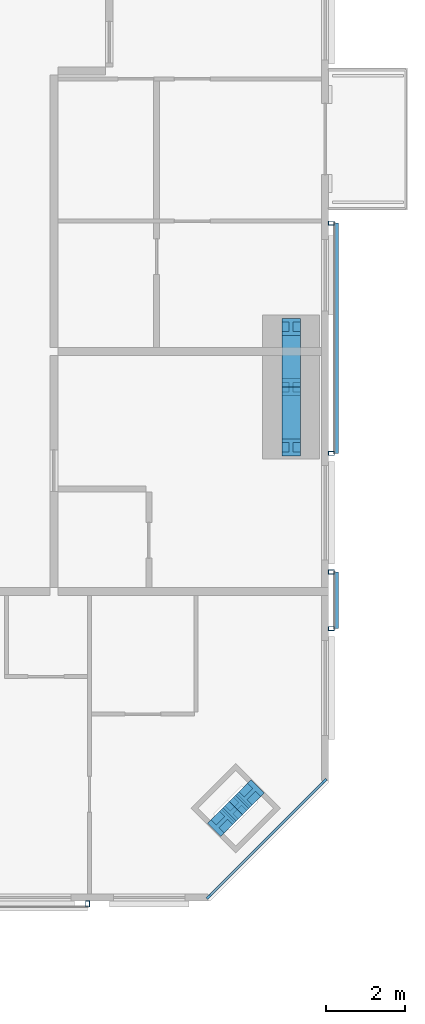
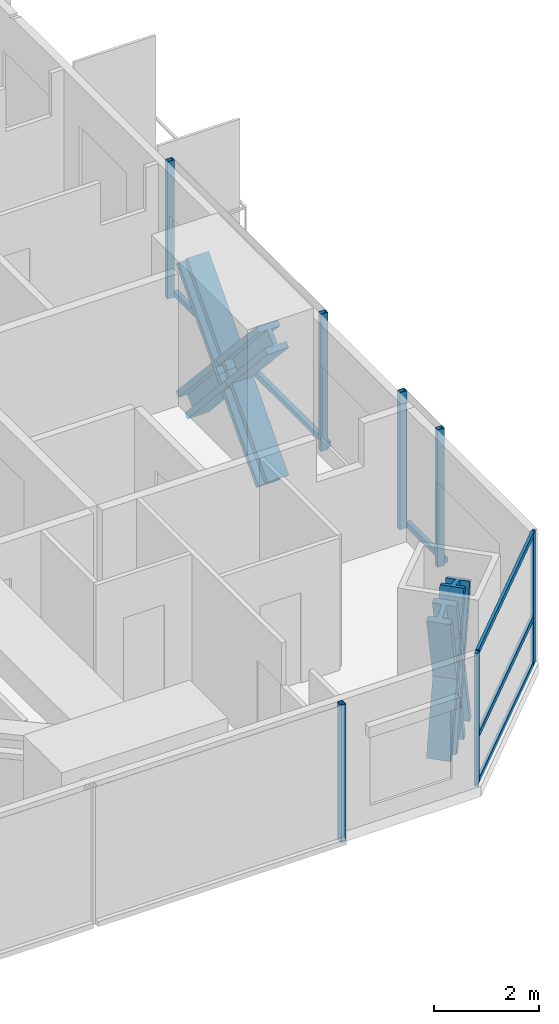
# One storey, part 9 of 22: 20 members, 4 elements without a shape of their own.
"""IFC4 building model written with IfcOpenShell, lengths in metres."""

from ifc_helpers import new_model, si_unit, direction, frame, origin, origin_2d, place, context, subcontext, project, spatial, rectangle, hollow_rectangle, i_section, extrude, material, material_profile, profile_set, type_object, element, aggregate, save


model = new_model("IFC4")

# Units and contexts
model_context = context("Model", 3, precision=1e-05, world=origin(), true_north=direction((0.0, 1.0)))
body_context = subcontext(model_context, "Body", "Model", "MODEL_VIEW")
ifc_project = project(units=[si_unit("LENGTHUNIT", "METRE"), si_unit("AREAUNIT", "SQUARE_METRE"), si_unit("VOLUMEUNIT", "CUBIC_METRE"), si_unit("PLANEANGLEUNIT", "RADIAN"), si_unit("MASSUNIT", "GRAM", prefix="KILO")], contexts=[model_context])

# Site, building, storey
site_placement = place(None, origin())
site = spatial("IfcSite", under=ifc_project, at=site_placement, CompositionType="ELEMENT")
building_placement = place(site_placement, origin())
building = spatial("IfcBuilding", under=site, at=building_placement, Name="Jalousie Tower", CompositionType="ELEMENT")
storey_placement = place(building_placement, frame((0.0, 0.0, 204.60009765625)))
storey = spatial("IfcBuildingStorey", under=building, at=storey_placement, Name="L56", CompositionType="ELEMENT", Elevation=204.60009765625)

# Curtain wall, members
ifc_material_1 = material(Name="Aluminium curtain wall", Category="aluminium")
curtain_wall_type_1 = type_object("IfcCurtainWallType", Name="CORNER WINDOW WALL", PredefinedType="USERDEFINED", material=ifc_material_1)
curtain_wall_1_placement = place(storey_placement, origin())
curtain_wall_1 = element("IfcCurtainWall", 1, at=curtain_wall_1_placement, inside=storey, type_object=curtain_wall_type_1, Name="Corner Window Wall L56 2", ObjectType="CORNER WINDOW WALL", PredefinedType="USERDEFINED")
ifc_material_2 = material(Name="Aluminium mullion", Category="aluminium")
ifc_material_profile_1 = material_profile(ifc_material_2, rectangle(XDim=0.06005859375, YDim=0.14990234375, at=origin_2d()), Name="MULLION 60x150")
ifc_profile_set_1 = profile_set([ifc_material_profile_1], Name="Aluminium mullion")
member_type_1 = type_object("IfcMemberType", Name="CORNER WINDOW WALL MULLION", PredefinedType="MULLION", material=ifc_profile_set_1)
member_1_placement = place(storey_placement, frame((49.969970703125, 0.108642578125, 0.0), z_axis=(0.0, 0.0, 1.0), x_axis=(-0.707106781187, 0.707106781187, 0.0)))
member_1 = element("IfcMember", 2, at=member_1_placement, type_object=member_type_1, Name="CW-C mullion 1", PredefinedType="MULLION", context=body_context, shape_type="SweptSolid", body=[
    extrude(rectangle(XDim=0.06005859375, YDim=0.14990234375, at=origin_2d()), origin(), (0.0, 0.0, 1.0), 3.06982421875),
])
member_2_placement = place(storey_placement, frame((52.891357421875, 3.030029296875, 0.0), z_axis=(0.0, 0.0, 1.0), x_axis=(-0.707106781187, 0.707106781187, 0.0)))
member_2 = element("IfcMember", 3, at=member_2_placement, type_object=member_type_1, Name="CW-C mullion 2", PredefinedType="MULLION", context=body_context, shape_type="SweptSolid", body=[
    extrude(rectangle(XDim=0.06005859375, YDim=0.14990234375, at=origin_2d()), origin(), (0.0, 0.0, 1.0), 3.06982421875),
])
ifc_material_3 = material(Name="Aluminium transom", Category="aluminium")
ifc_material_profile_2 = material_profile(ifc_material_3, rectangle(XDim=0.06005859375, YDim=0.1201171875, at=origin_2d()), Name="TRANSOM 60x120")
ifc_profile_set_2 = profile_set([ifc_material_profile_2], Name="Aluminium transom")
member_type_2 = type_object("IfcMemberType", Name="CORNER WINDOW WALL TRANSOM", PredefinedType="USERDEFINED", material=ifc_profile_set_2)
member_3_placement = place(storey_placement, frame((49.9912109375, 0.1298828125, 0.02978515625), z_axis=(0.707106781187, 0.707106781187, 0.0), x_axis=(-0.707106781187, 0.707106781187, 0.0)))
member_3 = element("IfcMember", 4, at=member_3_placement, type_object=member_type_2, Name="CW-C transom 1.1", ObjectType="TRANSOM", PredefinedType="USERDEFINED", context=body_context, shape_type="SweptSolid", body=[
    extrude(rectangle(XDim=0.06005859375, YDim=0.1201171875, at=origin_2d()), origin(), (0.0, 0.0, 1.0), 4.0712890625),
])
member_4_placement = place(storey_placement, frame((49.9912109375, 0.1298828125, 1.099853515625), z_axis=(0.707106781187, 0.707106781187, 0.0), x_axis=(-0.707106781187, 0.707106781187, 0.0)))
member_4 = element("IfcMember", 5, at=member_4_placement, type_object=member_type_2, Name="CW-C transom 1.2", ObjectType="TRANSOM", PredefinedType="USERDEFINED", context=body_context, shape_type="SweptSolid", body=[
    extrude(rectangle(XDim=0.06005859375, YDim=0.1201171875, at=origin_2d()), origin(), (0.0, 0.0, 1.0), 4.0712890625),
])
member_5_placement = place(storey_placement, frame((49.9912109375, 0.1298828125, 3.039794921875), z_axis=(0.707106781187, 0.707106781187, 0.0), x_axis=(-0.707106781187, 0.707106781187, 0.0)))
member_5 = element("IfcMember", 6, at=member_5_placement, type_object=member_type_2, Name="CW-C transom 1.3", ObjectType="TRANSOM", PredefinedType="USERDEFINED", context=body_context, shape_type="SweptSolid", body=[
    extrude(rectangle(XDim=0.06005859375, YDim=0.1201171875, at=origin_2d()), origin(), (0.0, 0.0, 1.0), 4.0712890625),
])
aggregate(curtain_wall_1, [member_1, member_2, member_3, member_4, member_5])

# Members
ifc_material_4 = material(Name="Steel ASTM A992 Grade 50", Category="steel")
ifc_material_profile_3 = material_profile(ifc_material_4, i_section(OverallWidth=0.472412109375, OverallDepth=0.5791015625, WebThickness=0.094970703125, FlangeThickness=0.1298828125, at=origin_2d()), Name="W14X808")
ifc_profile_set_3 = profile_set([ifc_material_profile_3], Name="Steel ASTM A992 Grade 50")
member_type_3 = type_object("IfcMemberType", Name="PERIMETER BRACE W14X808", PredefinedType="BRACE", material=ifc_profile_set_3)
for number, where, z_axis, x_axis, name in (
    (7, (50.2978515625, 1.9951171875, -0.60009765625), (0.202372069365, 0.202092742837, 0.958229653493), (-0.706618279267, 0.707594945859, 0.0), "Perimeter brace 05 L56 part 1"),
    (8, (50.651611328125, 2.348388671875, 1.074951171875), (0.202092742837, 0.202372069365, 0.958229653493), (-0.707594945859, 0.706618279267, 0.0), "Perimeter brace 05 L56 part 2"),
    (9, (51.0048828125, 2.7021484375, -0.60009765625), (-0.202092742837, -0.202372069365, 0.958229653493), (0.707594945859, -0.706618279267, 0.0), "Perimeter brace 05 L56 part 3"),
    (10, (50.651611328125, 2.348388671875, 1.074951171875), (-0.202372069365, -0.202092742837, 0.958229653493), (0.706618279267, -0.707594945859, 0.0), "Perimeter brace 05 L56 part 4"),
):
    element("IfcMember", number, at=place(storey_placement, frame(where, z_axis=z_axis, x_axis=x_axis)), inside=storey, type_object=member_type_3, Name=name, PredefinedType="BRACE", context=body_context, shape_type="SweptSolid", body=[
        extrude(i_section(OverallWidth=0.472412109375, OverallDepth=0.5791015625, WebThickness=0.094970703125, FlangeThickness=0.1298828125, at=origin_2d()), origin(), (0.0, 0.0, 1.0), 1.748046875),
    ])
for number, where, z_axis, x_axis, name in (
    (11, (52.050048828125, 11.47509765625, -0.60009765625), (0.0, 0.673187629365, 0.739471713908), (-1.0, 0.0, 0.0), "Perimeter brace 06 L56 part 1"),
    (12, (52.050048828125, 13.0, 1.074951171875), (0.0, 0.673187629365, 0.739471713908), (-1.0, 0.0, 0.0), "Perimeter brace 06 L56 part 2"),
    (13, (52.050048828125, 14.52490234375, -0.60009765625), (0.0, -0.673187629365, 0.739471713908), (1.0, 0.0, 0.0), "Perimeter brace 06 L56 part 3"),
    (14, (52.050048828125, 13.0, 1.074951171875), (0.0, -0.673187629365, 0.739471713908), (1.0, 0.0, 0.0), "Perimeter brace 06 L56 part 4"),
):
    element("IfcMember", number, at=place(storey_placement, frame(where, z_axis=z_axis, x_axis=x_axis)), inside=storey, type_object=member_type_3, Name=name, PredefinedType="BRACE", context=body_context, shape_type="SweptSolid", body=[
        extrude(i_section(OverallWidth=0.472412109375, OverallDepth=0.5791015625, WebThickness=0.094970703125, FlangeThickness=0.1298828125, at=origin_2d()), origin(), (0.0, 0.0, 1.0), 2.26513671875),
    ])

# Curtain wall, member
ifc_material_5 = material(Name="Perforated aluminium sheet", Category="aluminium")
curtain_wall_type_2 = type_object("IfcCurtainWallType", Name="SOLAR SCREEN SS-1", PredefinedType="USERDEFINED", material=ifc_material_5)
curtain_wall_2_placement = place(storey_placement, origin())
curtain_wall_2 = element("IfcCurtainWall", 15, at=curtain_wall_2_placement, inside=storey, type_object=curtain_wall_type_2, Name="Solar screen L56", ObjectType="SOLAR SCREEN SS-1", PredefinedType="USERDEFINED")
ifc_material_6 = material(Name="Steel ASTM A500 Grade C", Category="steel")
ifc_material_profile_4 = material_profile(ifc_material_6, hollow_rectangle(XDim=0.1015625, YDim=0.15234375, WallThickness=0.00634765625, at=origin_2d()), Name="HSS6X4X1/4")
ifc_profile_set_4 = profile_set([ifc_material_profile_4], Name="Steel ASTM A500 Grade C")
member_type_4 = type_object("IfcMemberType", Name="SOLAR SCREEN SS-1 MULLION", PredefinedType="MULLION", material=ifc_profile_set_4)
member_6_placement = place(storey_placement, frame((46.89990234375, -0.0712890625, -0.1201171875), z_axis=(0.0, 0.0, 1.0), x_axis=(1.0, 0.0, 0.0)))
member_6 = element("IfcMember", 16, at=member_6_placement, type_object=member_type_4, Name="SS1 post 2", PredefinedType="MULLION", context=body_context, shape_type="SweptSolid", body=[
    extrude(hollow_rectangle(XDim=0.1015625, YDim=0.15234375, WallThickness=0.00634765625, at=origin_2d()), origin(), (0.0, 0.0, 1.0), 3.18994140625),
])
aggregate(curtain_wall_2, [member_6])

# Curtain wall, members
curtain_wall_3_placement = place(storey_placement, origin())
curtain_wall_3 = element("IfcCurtainWall", 17, at=curtain_wall_3_placement, inside=storey, type_object=curtain_wall_type_2, Name="Solar screen L56", ObjectType="SOLAR SCREEN SS-1", PredefinedType="USERDEFINED")
member_7_placement = place(storey_placement, frame((53.0712890625, 6.88818359375, -0.1201171875), z_axis=(0.0, 0.0, 1.0), x_axis=(0.0, 1.0, 0.0)))
member_7 = element("IfcMember", 18, at=member_7_placement, type_object=member_type_4, Name="SS1 post 1", PredefinedType="MULLION", context=body_context, shape_type="SweptSolid", body=[
    extrude(hollow_rectangle(XDim=0.1015625, YDim=0.15234375, WallThickness=0.00634765625, at=origin_2d()), origin(), (0.0, 0.0, 1.0), 3.18994140625),
])
member_8_placement = place(storey_placement, frame((53.0712890625, 8.322021484375, -0.1201171875), z_axis=(0.0, 0.0, 1.0), x_axis=(0.0, 1.0, 0.0)))
member_8 = element("IfcMember", 19, at=member_8_placement, type_object=member_type_4, Name="SS1 post 2", PredefinedType="MULLION", context=body_context, shape_type="SweptSolid", body=[
    extrude(hollow_rectangle(XDim=0.1015625, YDim=0.15234375, WallThickness=0.00634765625, at=origin_2d()), origin(), (0.0, 0.0, 1.0), 3.18994140625),
])

curtain_wall_4_placement = place(storey_placement, origin())
curtain_wall_4 = element("IfcCurtainWall", 20, at=curtain_wall_4_placement, inside=storey, type_object=curtain_wall_type_2, Name="Solar screen L56", ObjectType="SOLAR SCREEN SS-1", PredefinedType="USERDEFINED")
member_9_placement = place(storey_placement, frame((53.0712890625, 11.322021484375, -0.1201171875), z_axis=(0.0, 0.0, 1.0), x_axis=(0.0, 1.0, 0.0)))
member_9 = element("IfcMember", 21, at=member_9_placement, type_object=member_type_4, Name="SS1 post 1", PredefinedType="MULLION", context=body_context, shape_type="SweptSolid", body=[
    extrude(hollow_rectangle(XDim=0.1015625, YDim=0.15234375, WallThickness=0.00634765625, at=origin_2d()), origin(), (0.0, 0.0, 1.0), 3.18994140625),
])
member_10_placement = place(storey_placement, frame((53.0712890625, 17.14990234375, -0.1201171875), z_axis=(0.0, 0.0, 1.0), x_axis=(0.0, 1.0, 0.0)))
member_10 = element("IfcMember", 22, at=member_10_placement, type_object=member_type_4, Name="SS1 post 2", PredefinedType="MULLION", context=body_context, shape_type="SweptSolid", body=[
    extrude(hollow_rectangle(XDim=0.1015625, YDim=0.15234375, WallThickness=0.00634765625, at=origin_2d()), origin(), (0.0, 0.0, 1.0), 3.18994140625),
])

# Member
ifc_material_7 = material(Name="Extruded aluminium screen rail", Category="aluminium")
ifc_material_profile_5 = material_profile(ifc_material_7, rectangle(XDim=0.1015625, YDim=0.1201171875, at=origin_2d()), Name="RAIL 102x120")
ifc_profile_set_5 = profile_set([ifc_material_profile_5], Name="Extruded aluminium screen rail")
member_type_5 = type_object("IfcMemberType", Name="SOLAR SCREEN SS-1 TRANSOM", PredefinedType="USERDEFINED", material=ifc_profile_set_5)
member_11_placement = place(storey_placement, frame((53.1982421875, 6.88818359375, -0.06005859375), z_axis=(0.0, 1.0, 0.0), x_axis=(-1.0, 0.0, 0.0)))
member_11 = element("IfcMember", 23, at=member_11_placement, type_object=member_type_5, Name="SS1 rail", ObjectType="TRANSOM", PredefinedType="USERDEFINED", context=body_context, shape_type="SweptSolid", body=[
    extrude(rectangle(XDim=0.1015625, YDim=0.1201171875, at=origin_2d()), origin(), (0.0, 0.0, 1.0), 1.433837890625),
])

aggregate(curtain_wall_3, [member_7, member_8, member_11])

member_12_placement = place(storey_placement, frame((53.1982421875, 11.322021484375, -0.06005859375), z_axis=(0.0, 1.0, 0.0), x_axis=(-1.0, 0.0, 0.0)))
member_12 = element("IfcMember", 24, at=member_12_placement, type_object=member_type_5, Name="SS1 rail", ObjectType="TRANSOM", PredefinedType="USERDEFINED", context=body_context, shape_type="SweptSolid", body=[
    extrude(rectangle(XDim=0.1015625, YDim=0.1201171875, at=origin_2d()), origin(), (0.0, 0.0, 1.0), 5.827880859375),
])

aggregate(curtain_wall_4, [member_9, member_10, member_12])

save(model, "model.ifc")
